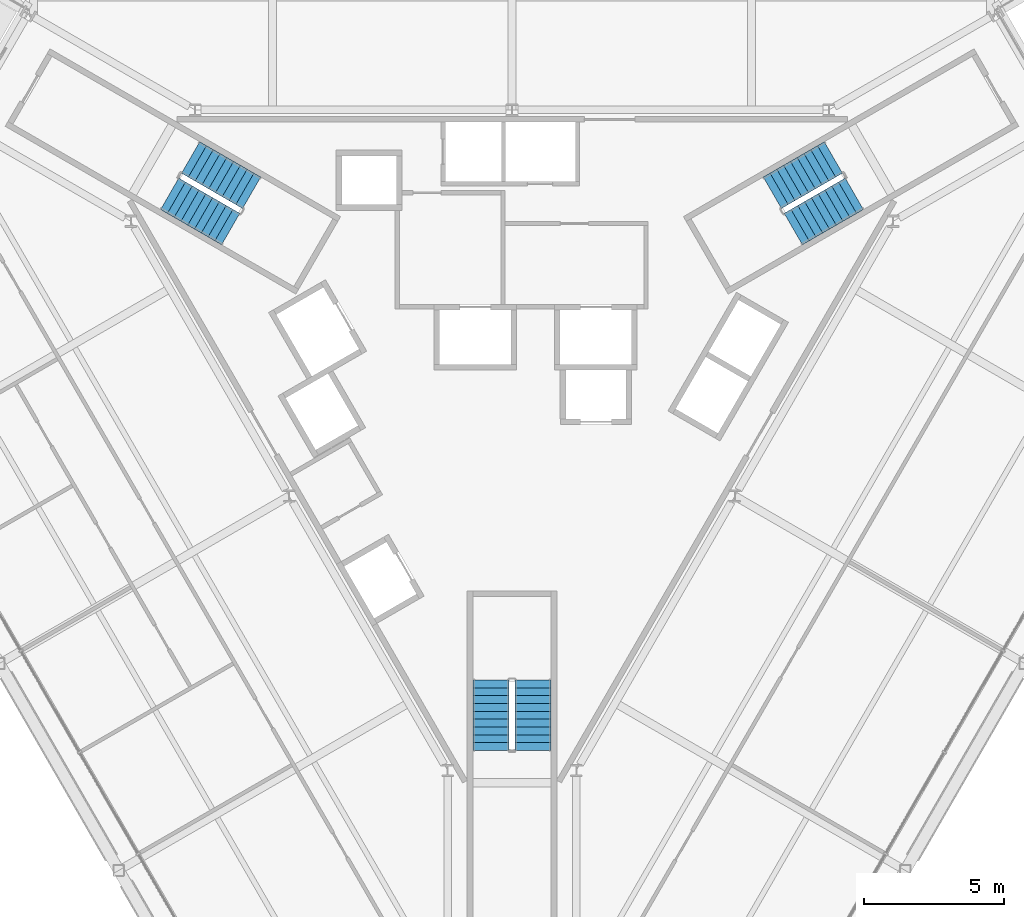
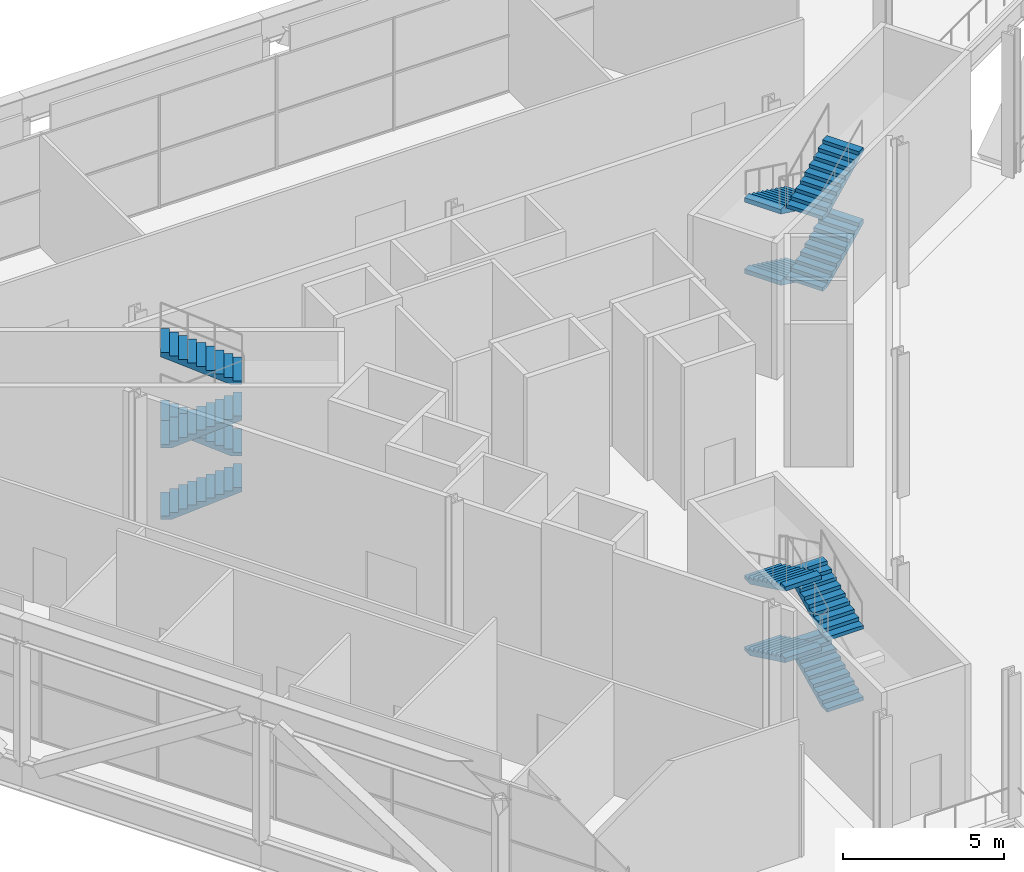
# One storey, part 15 of 20: 12 stair flights, 3 elements without a shape of their own.
"""IFC4 building model written with IfcOpenShell, lengths in metres."""

import ifcopenshell
import ifcopenshell.guid

model = None  # the IFC model being written
_history = None  # IfcOwnerHistory: only IFC2X3 demands one
_inside = {}  # id of a spatial element -> (the spatial element, [elements in it])
_under = {}  # id of a project, library or spatial element -> (it, [spatial elements below it])
_declared = {}  # id of a project -> (the project, [libraries it declares])
_typed = {}  # id of a type object -> (the type object, [elements of that type])
_made_of = {}  # id of a material, layer set ... -> (it, [elements and type objects made of it])


def new_model(schema):
    """Start an empty IFC model of exactly this schema.

    Asked for "IFC4X3", IfcOpenShell would pick the latest addendum, in which some entities
    have other attributes; the version numbers below select the first issue.
    IFC2X3 requires an IfcOwnerHistory on every rooted entity: one is made here for all.
    """
    global model, _history
    if schema == "IFC4X3":
        model = ifcopenshell.file(schema_version=(4, 3, 0, 0))
    else:
        model = ifcopenshell.file(schema=schema)
    _inside.clear()
    _under.clear()
    _declared.clear()
    _typed.clear()
    _made_of.clear()
    _history = None
    if model.schema == "IFC2X3":
        org = make("IfcOrganization", Name="unknown")
        user = make(
            "IfcPersonAndOrganization",
            ThePerson=make("IfcPerson", FamilyName="unknown"),
            TheOrganization=org,
        )
        app = make(
            "IfcApplication",
            ApplicationDeveloper=org,
            Version="unknown",
            ApplicationFullName="unknown",
            ApplicationIdentifier="unknown",
        )
        _history = make(
            "IfcOwnerHistory",
            OwningUser=user,
            OwningApplication=app,
            ChangeAction="ADDED",
            CreationDate=0,
        )
    return model


def make(cls, **values):
    """One entity of the class cls with the attributes given. An attribute that is None is left unset."""
    return model.create_entity(
        cls, **{name: value for name, value in values.items() if value is not None}
    )


def rooted(cls, **values):
    """An entity with a GlobalId (a new one), such as an element, a storey or a relation."""
    return make(cls, GlobalId=ifcopenshell.guid.new(), OwnerHistory=_history, **values)


def si_unit(unit_type, name, prefix=None):
    """IfcSIUnit, for example si_unit("LENGTHUNIT", "METRE", prefix="MILLI")."""
    return make("IfcSIUnit", UnitType=unit_type, Prefix=prefix, Name=name)


def assignment(units):
    """IfcUnitAssignment: the units of a project."""
    return None if units is None else make("IfcUnitAssignment", Units=units)


def point(xyz):
    """IfcCartesianPoint."""
    return None if xyz is None else make("IfcCartesianPoint", Coordinates=xyz)


def direction(xyz):
    """IfcDirection."""
    return None if xyz is None else make("IfcDirection", DirectionRatios=xyz)


def frame(location, z_axis=None, x_axis=None):
    """IfcAxis2Placement3D, a coordinate frame: its origin and axes. An axis left out is left unset."""
    return make(
        "IfcAxis2Placement3D",
        Location=point(location),
        Axis=direction(z_axis),
        RefDirection=direction(x_axis),
    )


def origin():
    """The frame at (0, 0, 0) with its axes left unset."""
    return frame((0.0, 0.0, 0.0))


def place(relative_to, where):
    """IfcLocalPlacement: puts the frame where relative to a parent placement (None: the world)."""
    return make(
        "IfcLocalPlacement", PlacementRelTo=relative_to, RelativePlacement=where
    )


def context(
    kind, dimensions, precision=None, world=None, true_north=None, identifier=None
):
    """IfcGeometricRepresentationContext, for example the 3D "Model" context."""
    return make(
        "IfcGeometricRepresentationContext",
        ContextIdentifier=identifier,
        ContextType=kind,
        CoordinateSpaceDimension=dimensions,
        Precision=precision,
        WorldCoordinateSystem=world,
        TrueNorth=true_north,
    )


def subcontext(parent, identifier, kind, view, scale=None):
    """IfcGeometricRepresentationSubContext, for example "Body" below "Model"."""
    return make(
        "IfcGeometricRepresentationSubContext",
        ContextIdentifier=identifier,
        ContextType=kind,
        ParentContext=parent,
        TargetScale=scale,
        TargetView=view,
    )


def project(units=None, contexts=None):
    """IfcProject with its units and contexts."""
    return rooted(
        "IfcProject",
        Name="project",
        RepresentationContexts=contexts,
        UnitsInContext=assignment(units),
    )


def spatial(cls, under=None, at=None, **own):
    """A site, building, storey or space (cls), placed at a placement, below another one or the project."""
    s = rooted(cls, ObjectPlacement=at, **own)
    if under is not None:
        _under.setdefault(under.id(), (under, []))[1].append(s)
    return s


def polyline(points):
    """IfcPolyline through the points."""
    return make("IfcPolyline", Points=[point(p) for p in points])


def outline(outer, holes=None, kind="AREA"):
    """IfcArbitraryClosedProfileDef: a profile drawn as a closed curve; with holes, ...WithVoids."""
    if holes is None:
        return make("IfcArbitraryClosedProfileDef", ProfileType=kind, OuterCurve=outer)
    return make(
        "IfcArbitraryProfileDefWithVoids",
        ProfileType=kind,
        OuterCurve=outer,
        InnerCurves=holes,
    )


def extrude(swept, where, along, depth):
    """IfcExtrudedAreaSolid: the profile swept, set in the frame where, extruded along a direction by depth."""
    return make(
        "IfcExtrudedAreaSolid",
        SweptArea=swept,
        Position=where,
        ExtrudedDirection=direction(along),
        Depth=depth,
    )


def shape(context_of_items, identifier, shape_type, items):
    """IfcShapeRepresentation: the items that make up one representation, for example the "Body"."""
    return make(
        "IfcShapeRepresentation",
        ContextOfItems=context_of_items,
        RepresentationIdentifier=identifier,
        RepresentationType=shape_type,
        Items=items,
    )


def material(Name=None, Category=None):
    """IfcMaterial."""
    return make("IfcMaterial", Name=Name, Category=Category)


def made_of(thing, what):
    """Note that an element or type object is made of a material, layer set ...; save() writes the relation."""
    if what is not None:
        _made_of.setdefault(what.id(), (what, []))[1].append(thing)
    return thing


def type_object(cls, material=None, **own):
    """A type object (cls), such as IfcWallType, which elements share."""
    return made_of(rooted(cls, **own), material)


def element(
    cls,
    number,
    at=None,
    inside=None,
    cuts=None,
    type_object=None,
    material=None,
    context=None,
    identifier="Body",
    shape_type=None,
    held_by="IfcProductDefinitionShape",
    body=None,
    shapes=None,
    **own,
):
    """One element of the class cls, such as IfcWall. Its Tag is "e" and its number.

    at: its placement. inside: the storey or other place that contains it. cuts: it is an
    opening in that element (IfcRelVoidsElement). A single representation is given by context,
    identifier, shape_type and body (its items); several are given by shapes. held_by: the class
    of the entity that holds the representations. save() writes the other relations.
    """
    e = rooted(cls, Tag="e%d" % number, ObjectPlacement=at, **own)
    if body is not None:
        shapes = [shape(context, identifier, shape_type, body)]
    if shapes is not None:
        e.Representation = make(held_by, Representations=shapes)
    if inside is not None:
        _inside.setdefault(inside.id(), (inside, []))[1].append(e)
    if cuts is not None:
        rooted(
            "IfcRelVoidsElement", RelatingBuildingElement=cuts, RelatedOpeningElement=e
        )
    if type_object is not None:
        _typed.setdefault(type_object.id(), (type_object, []))[1].append(e)
    return made_of(e, material)


def aggregate(whole, parts):
    """IfcRelAggregates: a whole, such as a stair, and the parts it consists of."""
    return rooted("IfcRelAggregates", RelatingObject=whole, RelatedObjects=parts)


def save(model, path):
    """Write the relations noted so far, then the file.

    IfcRelAggregates (storeys below a building ...), IfcRelContainedInSpatialStructure (elements
    in a storey), IfcRelDefinesByType, IfcRelAssociatesMaterial and IfcRelDeclares: one each for
    every whole, place, type object, material and project.
    """
    for whole, parts in _under.values():
        aggregate(whole, parts)
    for where, things in _inside.values():
        rooted(
            "IfcRelContainedInSpatialStructure",
            RelatedElements=things,
            RelatingStructure=where,
        )
    for kind, things in _typed.values():
        rooted("IfcRelDefinesByType", RelatedObjects=things, RelatingType=kind)
    for what, things in _made_of.values():
        rooted("IfcRelAssociatesMaterial", RelatedObjects=things, RelatingMaterial=what)
    for by, libraries in _declared.values():
        rooted("IfcRelDeclares", RelatingContext=by, RelatedDefinitions=libraries)
    model.write(path)


model = new_model("IFC4")

# Units and contexts
model_context = context("Model", 3, precision=1e-05, world=origin(), true_north=direction((0.0, 1.0)))
body_context = subcontext(model_context, "Body", "Model", "MODEL_VIEW")
ifc_project = project(units=[si_unit("LENGTHUNIT", "METRE"), si_unit("AREAUNIT", "SQUARE_METRE"), si_unit("VOLUMEUNIT", "CUBIC_METRE"), si_unit("PLANEANGLEUNIT", "RADIAN"), si_unit("MASSUNIT", "GRAM", prefix="KILO")], contexts=[model_context])

# Site, building, storey
site_placement = place(None, origin())
site = spatial("IfcSite", under=ifc_project, at=site_placement, CompositionType="ELEMENT")
building_placement = place(site_placement, origin())
building = spatial("IfcBuilding", under=site, at=building_placement, Name="Verrane Prism Tower", CompositionType="ELEMENT")
storey_placement = place(building_placement, frame((0.0, 0.0, 12.0)))
storey = spatial("IfcBuildingStorey", under=building, at=storey_placement, Name="L01", CompositionType="ELEMENT", Elevation=12.0)

# Stair, stair flights
ifc_material_1 = material(Name="Concrete C40/50", Category="concrete")
stair_type = type_object("IfcStairType", Name="Exit stair 1300 dog-leg precast concrete C40/50", PredefinedType="HALF_TURN_STAIR", material=ifc_material_1)
stair_1_placement = place(storey_placement, origin())
stair_1 = element("IfcStair", 1, at=stair_1_placement, inside=storey, type_object=stair_type, Name="Stair 1 L01", PredefinedType="HALF_TURN_STAIR")
ifc_material_2 = material(Name="Concrete C40/50", Category="concrete")
stair_flight_type = type_object("IfcStairFlightType", Name="Stair flight 1300 precast concrete C40/50", PredefinedType="STRAIGHT", material=ifc_material_2)
stair_flight_1_placement = place(storey_placement, frame((11.489501953125, 7.49951171875, 0.0), z_axis=(0.0, 0.0, 1.0), x_axis=(-0.866025403784, -0.5, 0.0)))
stair_flight_1 = element("IfcStairFlight", 2, at=stair_flight_1_placement, type_object=stair_flight_type, Name="Stair 1 flight 1", NumberOfRisers=10, NumberOfTreads=9, PredefinedType="STRAIGHT", RiserHeight=0.135, TreadLength=0.28, context=body_context, shape_type="SweptSolid", body=[
    extrude(outline(polyline([(0.0, 0.0), (0.0, 0.135009765625), (0.280029296875, 0.135009765625), (0.280029296875, 0.27001953125), (0.56005859375, 0.27001953125), (0.56005859375, 0.405029296875), (0.840087890625, 0.405029296875), (0.840087890625, 0.5400390625), (1.1201171875, 0.5400390625), (1.1201171875, 0.675048828125), (1.39990234375, 0.675048828125), (1.39990234375, 0.81005859375), (1.679931640625, 0.81005859375), (1.679931640625, 0.945068359375), (1.9599609375, 0.945068359375), (1.9599609375, 1.080078125), (2.239990234375, 1.080078125), (2.239990234375, 1.215087890625), (2.52001953125, 1.215087890625), (2.52001953125, 1.35009765625), (2.52001953125, 1.048583984375), (0.34521484375, 0.0), (0.0, 0.0)])), frame((0.0, 0.64990234375, 0.0), z_axis=(0.0, -1.0, 0.0), x_axis=(1.0, 0.0, 0.0)), (0.0, 0.0, 1.0), 1.300048828125),
])
stair_flight_2_placement = place(storey_placement, frame((10.05712890625, 4.9404296875, 1.35009765625), z_axis=(0.0, 0.0, 1.0), x_axis=(0.866025403784, 0.5, 0.0)))
stair_flight_2 = element("IfcStairFlight", 3, at=stair_flight_2_placement, type_object=stair_flight_type, Name="Stair 1 flight 2", NumberOfRisers=10, NumberOfTreads=9, PredefinedType="STRAIGHT", RiserHeight=0.135, TreadLength=0.28, context=body_context, shape_type="SweptSolid", body=[
    extrude(outline(polyline([(0.0, 0.0), (0.0, 0.135009765625), (0.280029296875, 0.135009765625), (0.280029296875, 0.27001953125), (0.56005859375, 0.27001953125), (0.56005859375, 0.405029296875), (0.840087890625, 0.405029296875), (0.840087890625, 0.5400390625), (1.1201171875, 0.5400390625), (1.1201171875, 0.675048828125), (1.39990234375, 0.675048828125), (1.39990234375, 0.81005859375), (1.679931640625, 0.81005859375), (1.679931640625, 0.945068359375), (1.9599609375, 0.945068359375), (1.9599609375, 1.080078125), (2.239990234375, 1.080078125), (2.239990234375, 1.215087890625), (2.52001953125, 1.215087890625), (2.52001953125, 1.35009765625), (2.52001953125, 1.048583984375), (0.34521484375, 0.0), (0.0, 0.0)])), frame((0.0, 0.64990234375, 0.0), z_axis=(0.0, -1.0, 0.0), x_axis=(1.0, 0.0, 0.0)), (0.0, 0.0, 1.0), 1.300048828125),
])
stair_flight_3_placement = place(storey_placement, frame((11.489501953125, 7.49951171875, 2.699951171875), z_axis=(0.0, 0.0, 1.0), x_axis=(-0.866025403784, -0.5, 0.0)))
stair_flight_3 = element("IfcStairFlight", 4, at=stair_flight_3_placement, type_object=stair_flight_type, Name="Stair 1 flight 3", NumberOfRisers=10, NumberOfTreads=9, PredefinedType="STRAIGHT", RiserHeight=0.135, TreadLength=0.28, context=body_context, shape_type="SweptSolid", body=[
    extrude(outline(polyline([(0.0, 0.0), (0.0, 0.135009765625), (0.280029296875, 0.135009765625), (0.280029296875, 0.27001953125), (0.56005859375, 0.27001953125), (0.56005859375, 0.405029296875), (0.840087890625, 0.405029296875), (0.840087890625, 0.5400390625), (1.1201171875, 0.5400390625), (1.1201171875, 0.675048828125), (1.39990234375, 0.675048828125), (1.39990234375, 0.81005859375), (1.679931640625, 0.81005859375), (1.679931640625, 0.945068359375), (1.9599609375, 0.945068359375), (1.9599609375, 1.080078125), (2.239990234375, 1.080078125), (2.239990234375, 1.215087890625), (2.52001953125, 1.215087890625), (2.52001953125, 1.35009765625), (2.52001953125, 1.048583984375), (0.34521484375, 0.0), (0.0, 0.0)])), frame((0.0, 0.64990234375, 0.0), z_axis=(0.0, -1.0, 0.0), x_axis=(1.0, 0.0, 0.0)), (0.0, 0.0, 1.0), 1.300048828125),
])
stair_flight_4_placement = place(storey_placement, frame((10.05712890625, 4.9404296875, 4.050048828125), z_axis=(0.0, 0.0, 1.0), x_axis=(0.866025403784, 0.5, 0.0)))
stair_flight_4 = element("IfcStairFlight", 5, at=stair_flight_4_placement, type_object=stair_flight_type, Name="Stair 1 flight 4", NumberOfRisers=10, NumberOfTreads=9, PredefinedType="STRAIGHT", RiserHeight=0.135, TreadLength=0.28, context=body_context, shape_type="SweptSolid", body=[
    extrude(outline(polyline([(0.0, 0.0), (0.0, 0.135009765625), (0.280029296875, 0.135009765625), (0.280029296875, 0.27001953125), (0.56005859375, 0.27001953125), (0.56005859375, 0.405029296875), (0.840087890625, 0.405029296875), (0.840087890625, 0.5400390625), (1.1201171875, 0.5400390625), (1.1201171875, 0.675048828125), (1.39990234375, 0.675048828125), (1.39990234375, 0.81005859375), (1.679931640625, 0.81005859375), (1.679931640625, 0.945068359375), (1.9599609375, 0.945068359375), (1.9599609375, 1.080078125), (2.239990234375, 1.080078125), (2.239990234375, 1.215087890625), (2.52001953125, 1.215087890625), (2.52001953125, 1.35009765625), (2.52001953125, 1.048583984375), (0.34521484375, 0.0), (0.0, 0.0)])), frame((0.0, 0.64990234375, 0.0), z_axis=(0.0, -1.0, 0.0), x_axis=(1.0, 0.0, 0.0)), (0.0, 0.0, 1.0), 1.300048828125),
])
aggregate(stair_1, [stair_flight_1, stair_flight_2, stair_flight_3, stair_flight_4])

stair_2_placement = place(storey_placement, origin())
stair_2 = element("IfcStair", 6, at=stair_2_placement, inside=storey, type_object=stair_type, Name="Stair 2 L01", PredefinedType="HALF_TURN_STAIR")
stair_flight_5_placement = place(storey_placement, frame((-12.239501953125, 6.200439453125, 0.0), z_axis=(0.0, 0.0, 1.0), x_axis=(0.866025403784, -0.5, 0.0)))
stair_flight_5 = element("IfcStairFlight", 7, at=stair_flight_5_placement, type_object=stair_flight_type, Name="Stair 2 flight 1", NumberOfRisers=10, NumberOfTreads=9, PredefinedType="STRAIGHT", RiserHeight=0.135, TreadLength=0.28, context=body_context, shape_type="SweptSolid", body=[
    extrude(outline(polyline([(0.0, 0.0), (0.0, 0.135009765625), (0.280029296875, 0.135009765625), (0.280029296875, 0.27001953125), (0.56005859375, 0.27001953125), (0.56005859375, 0.405029296875), (0.840087890625, 0.405029296875), (0.840087890625, 0.5400390625), (1.1201171875, 0.5400390625), (1.1201171875, 0.675048828125), (1.39990234375, 0.675048828125), (1.39990234375, 0.81005859375), (1.679931640625, 0.81005859375), (1.679931640625, 0.945068359375), (1.9599609375, 0.945068359375), (1.9599609375, 1.080078125), (2.239990234375, 1.080078125), (2.239990234375, 1.215087890625), (2.52001953125, 1.215087890625), (2.52001953125, 1.35009765625), (2.52001953125, 1.048583984375), (0.34521484375, 0.0), (0.0, 0.0)])), frame((0.0, 0.64990234375, 0.0), z_axis=(0.0, -1.0, 0.0), x_axis=(1.0, 0.0, 0.0)), (0.0, 0.0, 1.0), 1.300048828125),
])
stair_flight_6_placement = place(storey_placement, frame((-9.30712890625, 6.239501953125, 1.35009765625), z_axis=(0.0, 0.0, 1.0), x_axis=(-0.866025403784, 0.5, 0.0)))
stair_flight_6 = element("IfcStairFlight", 8, at=stair_flight_6_placement, type_object=stair_flight_type, Name="Stair 2 flight 2", NumberOfRisers=10, NumberOfTreads=9, PredefinedType="STRAIGHT", RiserHeight=0.135, TreadLength=0.28, context=body_context, shape_type="SweptSolid", body=[
    extrude(outline(polyline([(0.0, 0.0), (0.0, 0.135009765625), (0.280029296875, 0.135009765625), (0.280029296875, 0.27001953125), (0.56005859375, 0.27001953125), (0.56005859375, 0.405029296875), (0.840087890625, 0.405029296875), (0.840087890625, 0.5400390625), (1.1201171875, 0.5400390625), (1.1201171875, 0.675048828125), (1.39990234375, 0.675048828125), (1.39990234375, 0.81005859375), (1.679931640625, 0.81005859375), (1.679931640625, 0.945068359375), (1.9599609375, 0.945068359375), (1.9599609375, 1.080078125), (2.239990234375, 1.080078125), (2.239990234375, 1.215087890625), (2.52001953125, 1.215087890625), (2.52001953125, 1.35009765625), (2.52001953125, 1.048583984375), (0.34521484375, 0.0), (0.0, 0.0)])), frame((0.0, 0.64990234375, 0.0), z_axis=(0.0, -1.0, 0.0), x_axis=(1.0, 0.0, 0.0)), (0.0, 0.0, 1.0), 1.300048828125),
])
stair_flight_7_placement = place(storey_placement, frame((-12.239501953125, 6.200439453125, 2.699951171875), z_axis=(0.0, 0.0, 1.0), x_axis=(0.866025403784, -0.5, 0.0)))
stair_flight_7 = element("IfcStairFlight", 9, at=stair_flight_7_placement, type_object=stair_flight_type, Name="Stair 2 flight 3", NumberOfRisers=10, NumberOfTreads=9, PredefinedType="STRAIGHT", RiserHeight=0.135, TreadLength=0.28, context=body_context, shape_type="SweptSolid", body=[
    extrude(outline(polyline([(0.0, 0.0), (0.0, 0.135009765625), (0.280029296875, 0.135009765625), (0.280029296875, 0.27001953125), (0.56005859375, 0.27001953125), (0.56005859375, 0.405029296875), (0.840087890625, 0.405029296875), (0.840087890625, 0.5400390625), (1.1201171875, 0.5400390625), (1.1201171875, 0.675048828125), (1.39990234375, 0.675048828125), (1.39990234375, 0.81005859375), (1.679931640625, 0.81005859375), (1.679931640625, 0.945068359375), (1.9599609375, 0.945068359375), (1.9599609375, 1.080078125), (2.239990234375, 1.080078125), (2.239990234375, 1.215087890625), (2.52001953125, 1.215087890625), (2.52001953125, 1.35009765625), (2.52001953125, 1.048583984375), (0.34521484375, 0.0), (0.0, 0.0)])), frame((0.0, 0.64990234375, 0.0), z_axis=(0.0, -1.0, 0.0), x_axis=(1.0, 0.0, 0.0)), (0.0, 0.0, 1.0), 1.300048828125),
])
stair_flight_8_placement = place(storey_placement, frame((-9.30712890625, 6.239501953125, 4.050048828125), z_axis=(0.0, 0.0, 1.0), x_axis=(-0.866025403784, 0.5, 0.0)))
stair_flight_8 = element("IfcStairFlight", 10, at=stair_flight_8_placement, type_object=stair_flight_type, Name="Stair 2 flight 4", NumberOfRisers=10, NumberOfTreads=9, PredefinedType="STRAIGHT", RiserHeight=0.135, TreadLength=0.28, context=body_context, shape_type="SweptSolid", body=[
    extrude(outline(polyline([(0.0, 0.0), (0.0, 0.135009765625), (0.280029296875, 0.135009765625), (0.280029296875, 0.27001953125), (0.56005859375, 0.27001953125), (0.56005859375, 0.405029296875), (0.840087890625, 0.405029296875), (0.840087890625, 0.5400390625), (1.1201171875, 0.5400390625), (1.1201171875, 0.675048828125), (1.39990234375, 0.675048828125), (1.39990234375, 0.81005859375), (1.679931640625, 0.81005859375), (1.679931640625, 0.945068359375), (1.9599609375, 0.945068359375), (1.9599609375, 1.080078125), (2.239990234375, 1.080078125), (2.239990234375, 1.215087890625), (2.52001953125, 1.215087890625), (2.52001953125, 1.35009765625), (2.52001953125, 1.048583984375), (0.34521484375, 0.0), (0.0, 0.0)])), frame((0.0, 0.64990234375, 0.0), z_axis=(0.0, -1.0, 0.0), x_axis=(1.0, 0.0, 0.0)), (0.0, 0.0, 1.0), 1.300048828125),
])
aggregate(stair_2, [stair_flight_5, stair_flight_6, stair_flight_7, stair_flight_8])

stair_3_placement = place(storey_placement, origin())
stair_3 = element("IfcStair", 11, at=stair_3_placement, inside=storey, type_object=stair_type, Name="Stair 3 L01", PredefinedType="HALF_TURN_STAIR")
stair_flight_9_placement = place(storey_placement, frame((0.75, -13.699951171875, 0.0), z_axis=(0.0, 0.0, 1.0), x_axis=(0.0, 1.0, 0.0)))
stair_flight_9 = element("IfcStairFlight", 12, at=stair_flight_9_placement, type_object=stair_flight_type, Name="Stair 3 flight 1", NumberOfRisers=10, NumberOfTreads=9, PredefinedType="STRAIGHT", RiserHeight=0.135, TreadLength=0.28, context=body_context, shape_type="SweptSolid", body=[
    extrude(outline(polyline([(0.0, 0.0), (0.0, 0.135009765625), (0.280029296875, 0.135009765625), (0.280029296875, 0.27001953125), (0.56005859375, 0.27001953125), (0.56005859375, 0.405029296875), (0.840087890625, 0.405029296875), (0.840087890625, 0.5400390625), (1.1201171875, 0.5400390625), (1.1201171875, 0.675048828125), (1.39990234375, 0.675048828125), (1.39990234375, 0.81005859375), (1.679931640625, 0.81005859375), (1.679931640625, 0.945068359375), (1.9599609375, 0.945068359375), (1.9599609375, 1.080078125), (2.239990234375, 1.080078125), (2.239990234375, 1.215087890625), (2.52001953125, 1.215087890625), (2.52001953125, 1.35009765625), (2.52001953125, 1.048583984375), (0.34521484375, 0.0), (0.0, 0.0)])), frame((0.0, 0.64990234375, 0.0), z_axis=(0.0, -1.0, 0.0), x_axis=(1.0, 0.0, 0.0)), (0.0, 0.0, 1.0), 1.300048828125),
])
stair_flight_10_placement = place(storey_placement, frame((-0.75, -11.179931640625, 1.35009765625), z_axis=(0.0, 0.0, 1.0), x_axis=(0.0, -1.0, 0.0)))
stair_flight_10 = element("IfcStairFlight", 13, at=stair_flight_10_placement, type_object=stair_flight_type, Name="Stair 3 flight 2", NumberOfRisers=10, NumberOfTreads=9, PredefinedType="STRAIGHT", RiserHeight=0.135, TreadLength=0.28, context=body_context, shape_type="SweptSolid", body=[
    extrude(outline(polyline([(0.0, 0.0), (0.0, 0.135009765625), (0.280029296875, 0.135009765625), (0.280029296875, 0.27001953125), (0.56005859375, 0.27001953125), (0.56005859375, 0.405029296875), (0.840087890625, 0.405029296875), (0.840087890625, 0.5400390625), (1.1201171875, 0.5400390625), (1.1201171875, 0.675048828125), (1.39990234375, 0.675048828125), (1.39990234375, 0.81005859375), (1.679931640625, 0.81005859375), (1.679931640625, 0.945068359375), (1.9599609375, 0.945068359375), (1.9599609375, 1.080078125), (2.239990234375, 1.080078125), (2.239990234375, 1.215087890625), (2.52001953125, 1.215087890625), (2.52001953125, 1.35009765625), (2.52001953125, 1.048583984375), (0.34521484375, 0.0), (0.0, 0.0)])), frame((0.0, 0.64990234375, 0.0), z_axis=(0.0, -1.0, 0.0), x_axis=(1.0, 0.0, 0.0)), (0.0, 0.0, 1.0), 1.300048828125),
])
stair_flight_11_placement = place(storey_placement, frame((0.75, -13.699951171875, 2.699951171875), z_axis=(0.0, 0.0, 1.0), x_axis=(0.0, 1.0, 0.0)))
stair_flight_11 = element("IfcStairFlight", 14, at=stair_flight_11_placement, type_object=stair_flight_type, Name="Stair 3 flight 3", NumberOfRisers=10, NumberOfTreads=9, PredefinedType="STRAIGHT", RiserHeight=0.135, TreadLength=0.28, context=body_context, shape_type="SweptSolid", body=[
    extrude(outline(polyline([(0.0, 0.0), (0.0, 0.135009765625), (0.280029296875, 0.135009765625), (0.280029296875, 0.27001953125), (0.56005859375, 0.27001953125), (0.56005859375, 0.405029296875), (0.840087890625, 0.405029296875), (0.840087890625, 0.5400390625), (1.1201171875, 0.5400390625), (1.1201171875, 0.675048828125), (1.39990234375, 0.675048828125), (1.39990234375, 0.81005859375), (1.679931640625, 0.81005859375), (1.679931640625, 0.945068359375), (1.9599609375, 0.945068359375), (1.9599609375, 1.080078125), (2.239990234375, 1.080078125), (2.239990234375, 1.215087890625), (2.52001953125, 1.215087890625), (2.52001953125, 1.35009765625), (2.52001953125, 1.048583984375), (0.34521484375, 0.0), (0.0, 0.0)])), frame((0.0, 0.64990234375, 0.0), z_axis=(0.0, -1.0, 0.0), x_axis=(1.0, 0.0, 0.0)), (0.0, 0.0, 1.0), 1.300048828125),
])
stair_flight_12_placement = place(storey_placement, frame((-0.75, -11.179931640625, 4.050048828125), z_axis=(0.0, 0.0, 1.0), x_axis=(0.0, -1.0, 0.0)))
stair_flight_12 = element("IfcStairFlight", 15, at=stair_flight_12_placement, type_object=stair_flight_type, Name="Stair 3 flight 4", NumberOfRisers=10, NumberOfTreads=9, PredefinedType="STRAIGHT", RiserHeight=0.135, TreadLength=0.28, context=body_context, shape_type="SweptSolid", body=[
    extrude(outline(polyline([(0.0, 0.0), (0.0, 0.135009765625), (0.280029296875, 0.135009765625), (0.280029296875, 0.27001953125), (0.56005859375, 0.27001953125), (0.56005859375, 0.405029296875), (0.840087890625, 0.405029296875), (0.840087890625, 0.5400390625), (1.1201171875, 0.5400390625), (1.1201171875, 0.675048828125), (1.39990234375, 0.675048828125), (1.39990234375, 0.81005859375), (1.679931640625, 0.81005859375), (1.679931640625, 0.945068359375), (1.9599609375, 0.945068359375), (1.9599609375, 1.080078125), (2.239990234375, 1.080078125), (2.239990234375, 1.215087890625), (2.52001953125, 1.215087890625), (2.52001953125, 1.35009765625), (2.52001953125, 1.048583984375), (0.34521484375, 0.0), (0.0, 0.0)])), frame((0.0, 0.64990234375, 0.0), z_axis=(0.0, -1.0, 0.0), x_axis=(1.0, 0.0, 0.0)), (0.0, 0.0, 1.0), 1.300048828125),
])
aggregate(stair_3, [stair_flight_9, stair_flight_10, stair_flight_11, stair_flight_12])

save(model, "model.ifc")
